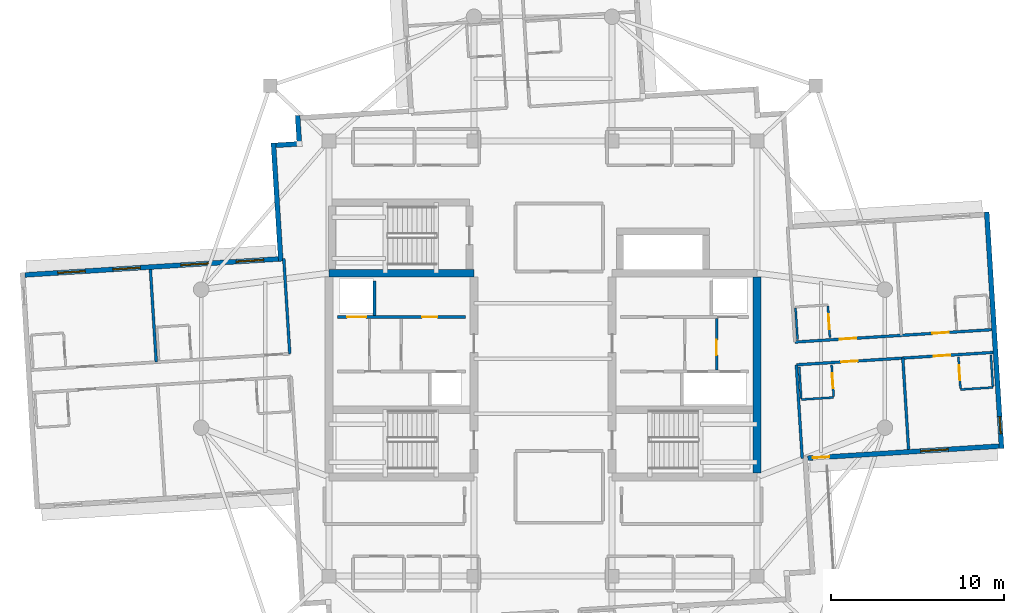
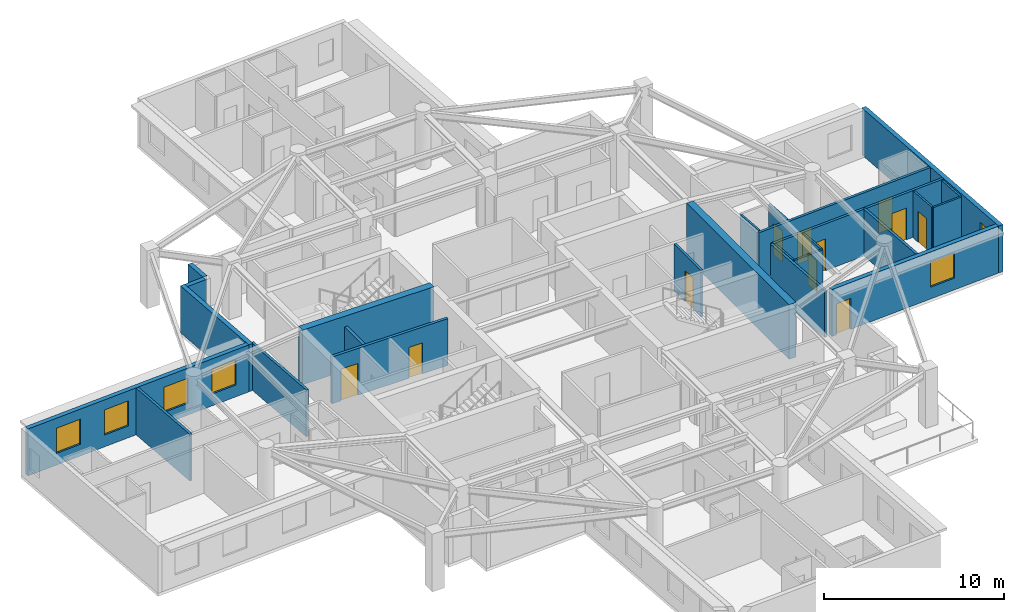
# One storey, part 6 of 13: 25 walls, 11 doors, 6 windows, 17 openings.
"""IFC4 building model written with IfcOpenShell, lengths in metres."""

import ifcopenshell
import ifcopenshell.guid

model = None  # the IFC model being written
_history = None  # IfcOwnerHistory: only IFC2X3 demands one
_inside = {}  # id of a spatial element -> (the spatial element, [elements in it])
_under = {}  # id of a project, library or spatial element -> (it, [spatial elements below it])
_declared = {}  # id of a project -> (the project, [libraries it declares])
_typed = {}  # id of a type object -> (the type object, [elements of that type])
_made_of = {}  # id of a material, layer set ... -> (it, [elements and type objects made of it])


def new_model(schema):
    """Start an empty IFC model of exactly this schema.

    Asked for "IFC4X3", IfcOpenShell would pick the latest addendum, in which some entities
    have other attributes; the version numbers below select the first issue.
    IFC2X3 requires an IfcOwnerHistory on every rooted entity: one is made here for all.
    """
    global model, _history
    if schema == "IFC4X3":
        model = ifcopenshell.file(schema_version=(4, 3, 0, 0))
    else:
        model = ifcopenshell.file(schema=schema)
    _inside.clear()
    _under.clear()
    _declared.clear()
    _typed.clear()
    _made_of.clear()
    _history = None
    if model.schema == "IFC2X3":
        org = make("IfcOrganization", Name="unknown")
        user = make(
            "IfcPersonAndOrganization",
            ThePerson=make("IfcPerson", FamilyName="unknown"),
            TheOrganization=org,
        )
        app = make(
            "IfcApplication",
            ApplicationDeveloper=org,
            Version="unknown",
            ApplicationFullName="unknown",
            ApplicationIdentifier="unknown",
        )
        _history = make(
            "IfcOwnerHistory",
            OwningUser=user,
            OwningApplication=app,
            ChangeAction="ADDED",
            CreationDate=0,
        )
    return model


def make(cls, **values):
    """One entity of the class cls with the attributes given. An attribute that is None is left unset."""
    return model.create_entity(
        cls, **{name: value for name, value in values.items() if value is not None}
    )


def rooted(cls, **values):
    """An entity with a GlobalId (a new one), such as an element, a storey or a relation."""
    return make(cls, GlobalId=ifcopenshell.guid.new(), OwnerHistory=_history, **values)


def si_unit(unit_type, name, prefix=None):
    """IfcSIUnit, for example si_unit("LENGTHUNIT", "METRE", prefix="MILLI")."""
    return make("IfcSIUnit", UnitType=unit_type, Prefix=prefix, Name=name)


def assignment(units):
    """IfcUnitAssignment: the units of a project."""
    return None if units is None else make("IfcUnitAssignment", Units=units)


def point(xyz):
    """IfcCartesianPoint."""
    return None if xyz is None else make("IfcCartesianPoint", Coordinates=xyz)


def direction(xyz):
    """IfcDirection."""
    return None if xyz is None else make("IfcDirection", DirectionRatios=xyz)


def frame(location, z_axis=None, x_axis=None):
    """IfcAxis2Placement3D, a coordinate frame: its origin and axes. An axis left out is left unset."""
    return make(
        "IfcAxis2Placement3D",
        Location=point(location),
        Axis=direction(z_axis),
        RefDirection=direction(x_axis),
    )


def frame_2d(location, x_axis=None):
    """IfcAxis2Placement2D, a coordinate frame in the plane: its origin and x axis."""
    return make(
        "IfcAxis2Placement2D", Location=point(location), RefDirection=direction(x_axis)
    )


def origin():
    """The frame at (0, 0, 0) with its axes left unset."""
    return frame((0.0, 0.0, 0.0))


def place(relative_to, where):
    """IfcLocalPlacement: puts the frame where relative to a parent placement (None: the world)."""
    return make(
        "IfcLocalPlacement", PlacementRelTo=relative_to, RelativePlacement=where
    )


def context(
    kind, dimensions, precision=None, world=None, true_north=None, identifier=None
):
    """IfcGeometricRepresentationContext, for example the 3D "Model" context."""
    return make(
        "IfcGeometricRepresentationContext",
        ContextIdentifier=identifier,
        ContextType=kind,
        CoordinateSpaceDimension=dimensions,
        Precision=precision,
        WorldCoordinateSystem=world,
        TrueNorth=true_north,
    )


def subcontext(parent, identifier, kind, view, scale=None):
    """IfcGeometricRepresentationSubContext, for example "Body" below "Model"."""
    return make(
        "IfcGeometricRepresentationSubContext",
        ContextIdentifier=identifier,
        ContextType=kind,
        ParentContext=parent,
        TargetScale=scale,
        TargetView=view,
    )


def project(units=None, contexts=None):
    """IfcProject with its units and contexts."""
    return rooted(
        "IfcProject",
        Name="project",
        RepresentationContexts=contexts,
        UnitsInContext=assignment(units),
    )


def spatial(cls, under=None, at=None, **own):
    """A site, building, storey or space (cls), placed at a placement, below another one or the project."""
    s = rooted(cls, ObjectPlacement=at, **own)
    if under is not None:
        _under.setdefault(under.id(), (under, []))[1].append(s)
    return s


def profile(cls, at=None, kind="AREA", **sizes):
    """A parametric profile (cls). Its sizes go by their IFC names, for example OverallWidth=200.0."""
    return make(cls, ProfileType=kind, Position=at, **sizes)


def rectangle(**sizes):
    """IfcRectangleProfileDef."""
    return profile("IfcRectangleProfileDef", **sizes)


def extrude(swept, where, along, depth):
    """IfcExtrudedAreaSolid: the profile swept, set in the frame where, extruded along a direction by depth."""
    return make(
        "IfcExtrudedAreaSolid",
        SweptArea=swept,
        Position=where,
        ExtrudedDirection=direction(along),
        Depth=depth,
    )


def shape(context_of_items, identifier, shape_type, items):
    """IfcShapeRepresentation: the items that make up one representation, for example the "Body"."""
    return make(
        "IfcShapeRepresentation",
        ContextOfItems=context_of_items,
        RepresentationIdentifier=identifier,
        RepresentationType=shape_type,
        Items=items,
    )


def material(Name=None, Category=None):
    """IfcMaterial."""
    return make("IfcMaterial", Name=Name, Category=Category)


def layer(
    of_material, thickness, ventilated=None, Name=None, Category=None, Priority=None
):
    """IfcMaterialLayer: one layer of a wall or slab, of a material (None: an air gap)."""
    return make(
        "IfcMaterialLayer",
        Material=of_material,
        LayerThickness=thickness,
        IsVentilated=ventilated,
        Name=Name,
        Category=Category,
        Priority=Priority,
    )


def layer_set(layers, Name=None):
    """IfcMaterialLayerSet."""
    return make("IfcMaterialLayerSet", MaterialLayers=layers, LayerSetName=Name)


def made_of(thing, what):
    """Note that an element or type object is made of a material, layer set ...; save() writes the relation."""
    if what is not None:
        _made_of.setdefault(what.id(), (what, []))[1].append(thing)
    return thing


def type_object(cls, material=None, **own):
    """A type object (cls), such as IfcWallType, which elements share."""
    return made_of(rooted(cls, **own), material)


def element(
    cls,
    number,
    at=None,
    inside=None,
    cuts=None,
    type_object=None,
    material=None,
    context=None,
    identifier="Body",
    shape_type=None,
    held_by="IfcProductDefinitionShape",
    body=None,
    shapes=None,
    **own,
):
    """One element of the class cls, such as IfcWall. Its Tag is "e" and its number.

    at: its placement. inside: the storey or other place that contains it. cuts: it is an
    opening in that element (IfcRelVoidsElement). A single representation is given by context,
    identifier, shape_type and body (its items); several are given by shapes. held_by: the class
    of the entity that holds the representations. save() writes the other relations.
    """
    e = rooted(cls, Tag="e%d" % number, ObjectPlacement=at, **own)
    if body is not None:
        shapes = [shape(context, identifier, shape_type, body)]
    if shapes is not None:
        e.Representation = make(held_by, Representations=shapes)
    if inside is not None:
        _inside.setdefault(inside.id(), (inside, []))[1].append(e)
    if cuts is not None:
        rooted(
            "IfcRelVoidsElement", RelatingBuildingElement=cuts, RelatedOpeningElement=e
        )
    if type_object is not None:
        _typed.setdefault(type_object.id(), (type_object, []))[1].append(e)
    return made_of(e, material)


def fill(opening, filler):
    """IfcRelFillsElement: the door or window that sits in an opening."""
    return rooted(
        "IfcRelFillsElement",
        RelatingOpeningElement=opening,
        RelatedBuildingElement=filler,
    )


def aggregate(whole, parts):
    """IfcRelAggregates: a whole, such as a stair, and the parts it consists of."""
    return rooted("IfcRelAggregates", RelatingObject=whole, RelatedObjects=parts)


def save(model, path):
    """Write the relations noted so far, then the file.

    IfcRelAggregates (storeys below a building ...), IfcRelContainedInSpatialStructure (elements
    in a storey), IfcRelDefinesByType, IfcRelAssociatesMaterial and IfcRelDeclares: one each for
    every whole, place, type object, material and project.
    """
    for whole, parts in _under.values():
        aggregate(whole, parts)
    for where, things in _inside.values():
        rooted(
            "IfcRelContainedInSpatialStructure",
            RelatedElements=things,
            RelatingStructure=where,
        )
    for kind, things in _typed.values():
        rooted("IfcRelDefinesByType", RelatedObjects=things, RelatingType=kind)
    for what, things in _made_of.values():
        rooted("IfcRelAssociatesMaterial", RelatedObjects=things, RelatingMaterial=what)
    for by, libraries in _declared.values():
        rooted("IfcRelDeclares", RelatingContext=by, RelatedDefinitions=libraries)
    model.write(path)


model = new_model("IFC4")

# Units and contexts
model_context = context("Model", 3, precision=1e-05, world=origin(), true_north=direction((0.0, 1.0)))
body_context = subcontext(model_context, "Body", "Model", "MODEL_VIEW")
ifc_project = project(units=[si_unit("LENGTHUNIT", "METRE"), si_unit("AREAUNIT", "SQUARE_METRE"), si_unit("VOLUMEUNIT", "CUBIC_METRE"), si_unit("PLANEANGLEUNIT", "RADIAN"), si_unit("MASSUNIT", "GRAM", prefix="KILO")], contexts=[model_context])

# Site, building, storey
site_placement = place(None, origin())
site = spatial("IfcSite", under=ifc_project, at=site_placement, CompositionType="ELEMENT")
building_placement = place(site_placement, origin())
building = spatial("IfcBuilding", under=site, at=building_placement, Name="Qingluan Cross Belvedere", CompositionType="ELEMENT")
storey_placement = place(building_placement, frame((0.0, 0.0, 281.10009765625)))
storey = spatial("IfcBuildingStorey", under=building, at=storey_placement, Name="L70", CompositionType="ELEMENT", Elevation=281.10009765625)

# Walls
ifc_material_1 = material(Name="Concrete C50", Category="concrete")
ifc_layer_1 = layer(ifc_material_1, 0.449951171875, Name="CoreShearWall_450")
ifc_layer_set_1 = layer_set([ifc_layer_1], Name="Concrete C50")
wall_type_1 = type_object("IfcWallType", Name="CoreShearWall_450", PredefinedType="SHEAR", material=ifc_layer_set_1)
wall_1_placement = place(storey_placement, frame((-12.39990234375, 4.949951171875, 0.0), z_axis=(0.0, 0.0, 1.0), x_axis=(1.0, 0.0, 0.0)))
element("IfcWall", 1, at=wall_1_placement, inside=storey, type_object=wall_type_1, Name="Split core W shear wall L70-N", PredefinedType="SHEAR", context=body_context, shape_type="SweptSolid", body=[
    extrude(rectangle(XDim=8.39990234375, YDim=0.449951171875, at=frame_2d((4.199951171875, 0.0))), origin(), (0.0, 0.0, 1.0), 3.699951171875),
])
wall_2_placement = place(storey_placement, frame((12.39990234375, -6.6201171875, 0.0), z_axis=(0.0, 0.0, 1.0), x_axis=(0.0, 1.0, 0.0)))
element("IfcWall", 2, at=wall_2_placement, inside=storey, type_object=wall_type_1, Name="Split core E shear wall L70-E", PredefinedType="SHEAR", context=body_context, shape_type="SweptSolid", body=[
    extrude(rectangle(XDim=11.340087890625, YDim=0.449951171875, at=frame_2d((5.669921875, 0.0))), origin(), (0.0, 0.0, 1.0), 3.699951171875),
])

# Wall, opening, door
ifc_material_2 = material(Name="Gypsum plasterboard on steel stud acoustic partition", Category="steel")
ifc_layer_2 = layer(ifc_material_2, 0.159912109375, Name="CorridorPartition_160")
ifc_layer_set_2 = layer_set([ifc_layer_2], Name="Gypsum plasterboard on steel stud acoustic partition")
wall_type_2 = type_object("IfcWallType", Name="CorridorPartition_160", PredefinedType="PARTITIONING", material=ifc_layer_set_2)
wall_3_placement = place(storey_placement, frame((10.050048828125, -0.652099609375, 0.0), z_axis=(0.0, 0.0, 1.0), x_axis=(0.0, 1.0, 0.0)))
wall_3 = element("IfcWall", 3, at=wall_3_placement, inside=storey, type_object=wall_type_2, Name="Partition L70:ev", PredefinedType="PARTITIONING", context=body_context, shape_type="SweptSolid", body=[
    extrude(rectangle(XDim=2.962158203125, YDim=0.139892578125, at=frame_2d((1.48095703125, 0.0))), origin(), (0.0, 0.0, 1.0), 3.169921875),
])
opening_1_placement = place(wall_3_placement, frame((0.85009765625, 0.0, 0.0)))
opening_1 = element("IfcOpeningElement", 4, at=opening_1_placement, cuts=wall_3, Name="Opening FD-B10", PredefinedType="OPENING", context=body_context, shape_type="SweptSolid", body=[
    extrude(rectangle(XDim=0.8798828125, YDim=2.10009765625, at=frame_2d((0.43994140625, 1.050048828125))), frame((0.0, 0.079833984375, 0.0), z_axis=(0.0, -1.0, 0.0), x_axis=(1.0, 0.0, 0.0)), (0.0, 0.0, 1.0), 0.159912109375),
])
ifc_material_3 = material(Name="Steel Class B service fire door", Category="steel")
door_type_1 = type_object("IfcDoorType", Name="RiserServiceFireDoor_FDB", OperationType="NOTDEFINED", PredefinedType="DOOR", material=ifc_material_3)
door_1_placement = place(opening_1_placement, origin())
door_1 = element("IfcDoor", 5, at=door_1_placement, inside=storey, type_object=door_type_1, Name="Service closet inner door L70", OperationType="SINGLE_SWING_RIGHT", OverallHeight=2.10009765625, OverallWidth=0.8798828125, PredefinedType="DOOR", context=body_context, shape_type="SweptSolid", body=[
    extrude(rectangle(XDim=0.8798828125, YDim=2.10009765625, at=frame_2d((0.43994140625, 1.050048828125))), frame((0.0, 0.02490234375, 0.0), z_axis=(0.0, -1.0, 0.0), x_axis=(1.0, 0.0, 0.0)), (0.0, 0.0, 1.0), 0.050048828125),
])
fill(opening_1, door_1)

# Wall, openings, doors
wall_4_placement = place(storey_placement, frame((14.588623046875, 0.9580078125, 0.0), z_axis=(0.0, 0.0, 1.0), x_axis=(0.998026771519, 0.06278983461, 0.0)))
wall_4 = element("IfcWall", 6, at=wall_4_placement, inside=storey, type_object=wall_type_2, Name="Partition L70:E:c0", PredefinedType="PARTITIONING", context=body_context, shape_type="SweptSolid", body=[
    extrude(rectangle(XDim=11.411865234375, YDim=0.159912109375, at=frame_2d((5.7060546875, 0.0))), origin(), (0.0, 0.0, 1.0), 3.169921875),
])
opening_2_placement = place(wall_4_placement, frame((2.597900390625, 0.0, 0.0)))
opening_2 = element("IfcOpeningElement", 7, at=opening_2_placement, cuts=wall_4, Name="Opening GD-10", PredefinedType="OPENING", context=body_context, shape_type="SweptSolid", body=[
    extrude(rectangle(XDim=0.9599609375, YDim=2.14990234375, at=frame_2d((0.47998046875, 1.074951171875))), frame((0.0, 0.08984375, 0.0), z_axis=(0.0, -1.0, 0.0), x_axis=(1.0, 0.0, 0.0)), (0.0, 0.0, 1.0), 0.179931640625),
])
opening_3_placement = place(wall_4_placement, frame((7.97412109375, 0.0, 0.0)))
opening_3 = element("IfcOpeningElement", 8, at=opening_3_placement, cuts=wall_4, Name="Opening GD-10", PredefinedType="OPENING", context=body_context, shape_type="SweptSolid", body=[
    extrude(rectangle(XDim=0.9599609375, YDim=2.14990234375, at=frame_2d((0.47998046875, 1.074951171875))), frame((0.0, 0.08984375, 0.0), z_axis=(0.0, -1.0, 0.0), x_axis=(1.0, 0.0, 0.0)), (0.0, 0.0, 1.0), 0.179931640625),
])
ifc_material_4 = material(Name="Timber oak fire-rated acoustic guestroom door", Category="wood")
door_type_2 = type_object("IfcDoorType", Name="GuestEntryDoor_FD60", OperationType="NOTDEFINED", PredefinedType="DOOR", material=ifc_material_4)
door_2_placement = place(opening_2_placement, origin())
door_2 = element("IfcDoor", 9, at=door_2_placement, inside=storey, type_object=door_type_2, Name="Guest entry fire door 7001", OperationType="SINGLE_SWING_LEFT", OverallHeight=2.14990234375, OverallWidth=0.9599609375, PredefinedType="DOOR", context=body_context, shape_type="SweptSolid", body=[
    extrude(rectangle(XDim=0.9599609375, YDim=2.14990234375, at=frame_2d((0.47998046875, 1.074951171875))), frame((0.0, 0.02490234375, 0.0), z_axis=(0.0, -1.0, 0.0), x_axis=(1.0, 0.0, 0.0)), (0.0, 0.0, 1.0), 0.050048828125),
])
fill(opening_2, door_2)
door_3_placement = place(opening_3_placement, origin())
door_3 = element("IfcDoor", 10, at=door_3_placement, inside=storey, type_object=door_type_2, Name="Guest entry fire door 7002", OperationType="SINGLE_SWING_LEFT", OverallHeight=2.14990234375, OverallWidth=0.9599609375, PredefinedType="DOOR", context=body_context, shape_type="SweptSolid", body=[
    extrude(rectangle(XDim=0.9599609375, YDim=2.14990234375, at=frame_2d((0.47998046875, 1.074951171875))), frame((0.0, 0.02490234375, 0.0), z_axis=(0.0, -1.0, 0.0), x_axis=(1.0, 0.0, 0.0)), (0.0, 0.0, 1.0), 0.050048828125),
])
fill(opening_3, door_3)

wall_5_placement = place(storey_placement, frame((14.67138671875, -0.359619140625, 0.0), z_axis=(0.0, 0.0, 1.0), x_axis=(0.998025515052, 0.062809802628, 0.0)))
wall_5 = element("IfcWall", 11, at=wall_5_placement, inside=storey, type_object=wall_type_2, Name="Partition L70:E:c1", PredefinedType="PARTITIONING", context=body_context, shape_type="SweptSolid", body=[
    extrude(rectangle(XDim=11.412109375, YDim=0.159912109375, at=frame_2d((5.7060546875, 0.0))), origin(), (0.0, 0.0, 1.0), 3.169921875),
])
opening_4_placement = place(wall_5_placement, frame((2.597900390625, 0.0, 0.0)))
opening_4 = element("IfcOpeningElement", 12, at=opening_4_placement, cuts=wall_5, Name="Opening GD-10", PredefinedType="OPENING", context=body_context, shape_type="SweptSolid", body=[
    extrude(rectangle(XDim=0.9599609375, YDim=2.14990234375, at=frame_2d((0.47998046875, 1.074951171875))), frame((0.0, 0.08984375, 0.0), z_axis=(0.0, -1.0, 0.0), x_axis=(1.0, 0.0, 0.0)), (0.0, 0.0, 1.0), 0.179931640625),
])
opening_5_placement = place(wall_5_placement, frame((7.97412109375, 0.0, 0.0)))
opening_5 = element("IfcOpeningElement", 13, at=opening_5_placement, cuts=wall_5, Name="Opening GD-10", PredefinedType="OPENING", context=body_context, shape_type="SweptSolid", body=[
    extrude(rectangle(XDim=0.9599609375, YDim=2.14990234375, at=frame_2d((0.47998046875, 1.074951171875))), frame((0.0, 0.08984375, 0.0), z_axis=(0.0, -1.0, 0.0), x_axis=(1.0, 0.0, 0.0)), (0.0, 0.0, 1.0), 0.179931640625),
])
door_4_placement = place(opening_4_placement, origin())
door_4 = element("IfcDoor", 14, at=door_4_placement, inside=storey, type_object=door_type_2, Name="Guest entry fire door 7003", OperationType="SINGLE_SWING_LEFT", OverallHeight=2.14990234375, OverallWidth=0.9599609375, PredefinedType="DOOR", context=body_context, shape_type="SweptSolid", body=[
    extrude(rectangle(XDim=0.9599609375, YDim=2.14990234375, at=frame_2d((0.47998046875, 1.074951171875))), frame((0.0, 0.02490234375, 0.0), z_axis=(0.0, -1.0, 0.0), x_axis=(1.0, 0.0, 0.0)), (0.0, 0.0, 1.0), 0.050048828125),
])
fill(opening_4, door_4)
door_5_placement = place(opening_5_placement, origin())
door_5 = element("IfcDoor", 15, at=door_5_placement, inside=storey, type_object=door_type_2, Name="Guest entry fire door 7004", OperationType="SINGLE_SWING_LEFT", OverallHeight=2.14990234375, OverallWidth=0.9599609375, PredefinedType="DOOR", context=body_context, shape_type="SweptSolid", body=[
    extrude(rectangle(XDim=0.9599609375, YDim=2.14990234375, at=frame_2d((0.47998046875, 1.074951171875))), frame((0.0, 0.02490234375, 0.0), z_axis=(0.0, -1.0, 0.0), x_axis=(1.0, 0.0, 0.0)), (0.0, 0.0, 1.0), 0.050048828125),
])
fill(opening_5, door_5)

# Walls
wall_6_placement = place(storey_placement, frame((14.67138671875, -0.359619140625, 0.0), z_axis=(0.0, 0.0, 1.0), x_axis=(0.062830913783, -0.998024186217, 0.0)))
element("IfcWall", 16, at=wall_6_placement, inside=storey, type_object=wall_type_2, Name="Partition L70:E:s1", PredefinedType="PARTITIONING", context=body_context, shape_type="SweptSolid", body=[
    extrude(rectangle(XDim=5.43994140625, YDim=0.159912109375, at=frame_2d((2.719970703125, 0.0))), origin(), (0.0, 0.0, 1.0), 3.169921875),
])
wall_7_placement = place(storey_placement, frame((20.83935546875, 0.028564453125, 0.0), z_axis=(0.0, 0.0, 1.0), x_axis=(0.062789003246, -0.998026823824, 0.0)))
element("IfcWall", 17, at=wall_7_placement, inside=storey, type_object=wall_type_2, Name="Partition L70:E:d1_0", PredefinedType="PARTITIONING", context=body_context, shape_type="SweptSolid", body=[
    extrude(rectangle(XDim=5.2919921875, YDim=0.159912109375, at=frame_2d((2.64599609375, 0.0))), origin(), (0.0, 0.0, 1.0), 3.169921875),
])
wall_8_placement = place(storey_placement, frame((-14.66650390625, 0.279541015625, 0.0), z_axis=(0.0, 0.0, 1.0), x_axis=(-0.062802308829, 0.998025986639, 0.0)))
element("IfcWall", 18, at=wall_8_placement, inside=storey, type_object=wall_type_2, Name="Partition L70:W:s0", PredefinedType="PARTITIONING", context=body_context, shape_type="SweptSolid", body=[
    extrude(rectangle(XDim=5.520263671875, YDim=0.159912109375, at=frame_2d((2.76025390625, 0.0))), origin(), (0.0, 0.0, 1.0), 3.169921875),
])
wall_9_placement = place(storey_placement, frame((-22.401123046875, -0.20703125, 0.0), z_axis=(0.0, 0.0, 1.0), x_axis=(-0.062808351004, 0.998025606407, 0.0)))
element("IfcWall", 19, at=wall_9_placement, inside=storey, type_object=wall_type_2, Name="Partition L70:W:d0_0", PredefinedType="PARTITIONING", context=body_context, shape_type="SweptSolid", body=[
    extrude(rectangle(XDim=5.371826171875, YDim=0.159912109375, at=frame_2d((2.68603515625, 0.0))), origin(), (0.0, 0.0, 1.0), 3.169921875),
])

# Wall, opening, door
ifc_material_5 = material(Name="Moisture-resistant gypsum board lining")
ifc_layer_3 = layer(ifc_material_5, 0.1201171875, Name="EnsuiteWetPartition_120")
ifc_layer_set_3 = layer_set([ifc_layer_3], Name="Moisture-resistant gypsum board lining")
wall_type_3 = type_object("IfcWallType", Name="EnsuiteWetPartition_120", PredefinedType="PARTITIONING", material=ifc_layer_set_3)
wall_10_placement = place(storey_placement, frame((16.61572265625, 1.2255859375, 0.0), z_axis=(0.0, 0.0, 1.0), x_axis=(-0.062779145668, 0.998027443946, 0.0)))
wall_10 = element("IfcWall", 20, at=wall_10_placement, inside=storey, type_object=wall_type_3, Name="Partition L70:E:bs0_0", PredefinedType="PARTITIONING", context=body_context, shape_type="SweptSolid", body=[
    extrude(rectangle(XDim=1.820068359375, YDim=0.1201171875, at=frame_2d((0.91015625, 0.0))), origin(), (0.0, 0.0, 1.0), 3.169921875),
])
opening_6_placement = place(wall_10_placement, frame((0.469970703125, 0.0, 0.0)))
opening_6 = element("IfcOpeningElement", 21, at=opening_6_placement, cuts=wall_10, Name="Opening BD-09", PredefinedType="OPENING", context=body_context, shape_type="SweptSolid", body=[
    extrude(rectangle(XDim=0.8798828125, YDim=2.10009765625, at=frame_2d((0.43994140625, 1.050048828125))), frame((0.0, 0.070068359375, 0.0), z_axis=(0.0, -1.0, 0.0), x_axis=(1.0, 0.0, 0.0)), (0.0, 0.0, 1.0), 0.14013671875),
])
ifc_material_6 = material(Name="Moisture-sealed timber en-suite door", Category="wood")
door_type_3 = type_object("IfcDoorType", Name="BathroomDoor_880", OperationType="NOTDEFINED", PredefinedType="DOOR", material=ifc_material_6)
door_6_placement = place(opening_6_placement, origin())
door_6 = element("IfcDoor", 22, at=door_6_placement, inside=storey, type_object=door_type_3, Name="Bathroom door 7001", OperationType="SINGLE_SWING_RIGHT", OverallHeight=2.10009765625, OverallWidth=0.8798828125, PredefinedType="DOOR", context=body_context, shape_type="SweptSolid", body=[
    extrude(rectangle(XDim=0.8798828125, YDim=2.10009765625, at=frame_2d((0.43994140625, 1.050048828125))), frame((0.0, 0.02490234375, 0.0), z_axis=(0.0, -1.0, 0.0), x_axis=(1.0, 0.0, 0.0)), (0.0, 0.0, 1.0), 0.050048828125),
])
fill(opening_6, door_6)

# Wall
wall_11_placement = place(storey_placement, frame((14.739501953125, 1.107666015625, 0.0), z_axis=(0.0, 0.0, 1.0), x_axis=(-0.062779145668, 0.998027443946, 0.0)))
element("IfcWall", 23, at=wall_11_placement, inside=storey, type_object=wall_type_3, Name="Partition L70:E:bw0_0", PredefinedType="PARTITIONING", context=body_context, shape_type="SweptSolid", body=[
    extrude(rectangle(XDim=1.820068359375, YDim=0.1201171875, at=frame_2d((0.91015625, 0.0))), origin(), (0.0, 0.0, 1.0), 3.169921875),
])

# Wall, opening, door
wall_12_placement = place(storey_placement, frame((16.83056640625, -2.1875, 0.0), z_axis=(0.0, 0.0, 1.0), x_axis=(-0.062779145668, 0.998027443946, 0.0)))
wall_12 = element("IfcWall", 24, at=wall_12_placement, inside=storey, type_object=wall_type_3, Name="Partition L70:E:bs1_0", PredefinedType="PARTITIONING", context=body_context, shape_type="SweptSolid", body=[
    extrude(rectangle(XDim=1.820068359375, YDim=0.1201171875, at=frame_2d((0.91015625, 0.0))), origin(), (0.0, 0.0, 1.0), 3.169921875),
])
opening_7_placement = place(wall_12_placement, frame((0.469970703125, 0.0, 0.0)))
opening_7 = element("IfcOpeningElement", 25, at=opening_7_placement, cuts=wall_12, Name="Opening BD-09", PredefinedType="OPENING", context=body_context, shape_type="SweptSolid", body=[
    extrude(rectangle(XDim=0.8798828125, YDim=2.10009765625, at=frame_2d((0.43994140625, 1.050048828125))), frame((0.0, 0.070068359375, 0.0), z_axis=(0.0, -1.0, 0.0), x_axis=(1.0, 0.0, 0.0)), (0.0, 0.0, 1.0), 0.14013671875),
])
door_7_placement = place(opening_7_placement, origin())
door_7 = element("IfcDoor", 26, at=door_7_placement, inside=storey, type_object=door_type_3, Name="Bathroom door 7003", OperationType="SINGLE_SWING_RIGHT", OverallHeight=2.10009765625, OverallWidth=0.8798828125, PredefinedType="DOOR", context=body_context, shape_type="SweptSolid", body=[
    extrude(rectangle(XDim=0.8798828125, YDim=2.10009765625, at=frame_2d((0.43994140625, 1.050048828125))), frame((0.0, 0.02490234375, 0.0), z_axis=(0.0, -1.0, 0.0), x_axis=(1.0, 0.0, 0.0)), (0.0, 0.0, 1.0), 0.050048828125),
])
fill(opening_7, door_7)

# Walls
wall_13_placement = place(storey_placement, frame((14.954345703125, -2.3056640625, 0.0), z_axis=(0.0, 0.0, 1.0), x_axis=(-0.062779145668, 0.998027443946, 0.0)))
element("IfcWall", 27, at=wall_13_placement, inside=storey, type_object=wall_type_3, Name="Partition L70:E:bw1_0", PredefinedType="PARTITIONING", context=body_context, shape_type="SweptSolid", body=[
    extrude(rectangle(XDim=1.820068359375, YDim=0.1201171875, at=frame_2d((0.91015625, 0.0))), origin(), (0.0, 0.0, 1.0), 3.169921875),
])
wall_14_placement = place(storey_placement, frame((14.95849609375, -2.370361328125, 0.0), z_axis=(0.0, 0.0, 1.0), x_axis=(0.998030789148, 0.062725942896, 0.0)))
element("IfcWall", 28, at=wall_14_placement, inside=storey, type_object=wall_type_3, Name="Partition L70:E:bc1_0", PredefinedType="PARTITIONING", context=body_context, shape_type="SweptSolid", body=[
    extrude(rectangle(XDim=1.8798828125, YDim=0.1201171875, at=frame_2d((0.93994140625, 0.0))), origin(), (0.0, 0.0, 1.0), 3.169921875),
])

# Wall, opening, door
wall_15_placement = place(storey_placement, frame((24.176025390625, -1.725341796875, 0.0), z_axis=(0.0, 0.0, 1.0), x_axis=(-0.062779145668, 0.998027443946, 0.0)))
wall_15 = element("IfcWall", 29, at=wall_15_placement, inside=storey, type_object=wall_type_3, Name="Partition L70:E:bs1_1", PredefinedType="PARTITIONING", context=body_context, shape_type="SweptSolid", body=[
    extrude(rectangle(XDim=1.820068359375, YDim=0.1201171875, at=frame_2d((0.91015625, 0.0))), origin(), (0.0, 0.0, 1.0), 3.169921875),
])
opening_8_placement = place(wall_15_placement, frame((0.469970703125, 0.0, 0.0)))
opening_8 = element("IfcOpeningElement", 30, at=opening_8_placement, cuts=wall_15, Name="Opening BD-09", PredefinedType="OPENING", context=body_context, shape_type="SweptSolid", body=[
    extrude(rectangle(XDim=0.8798828125, YDim=2.10009765625, at=frame_2d((0.43994140625, 1.050048828125))), frame((0.0, 0.070068359375, 0.0), z_axis=(0.0, -1.0, 0.0), x_axis=(1.0, 0.0, 0.0)), (0.0, 0.0, 1.0), 0.14013671875),
])
door_8_placement = place(opening_8_placement, origin())
door_8 = element("IfcDoor", 31, at=door_8_placement, inside=storey, type_object=door_type_3, Name="Bathroom door 7004", OperationType="SINGLE_SWING_RIGHT", OverallHeight=2.10009765625, OverallWidth=0.8798828125, PredefinedType="DOOR", context=body_context, shape_type="SweptSolid", body=[
    extrude(rectangle(XDim=0.8798828125, YDim=2.10009765625, at=frame_2d((0.43994140625, 1.050048828125))), frame((0.0, 0.02490234375, 0.0), z_axis=(0.0, -1.0, 0.0), x_axis=(1.0, 0.0, 0.0)), (0.0, 0.0, 1.0), 0.050048828125),
])
fill(opening_8, door_8)

# Walls
wall_16_placement = place(storey_placement, frame((26.05224609375, -1.607421875, 0.0), z_axis=(0.0, 0.0, 1.0), x_axis=(-0.062779145668, 0.998027443946, 0.0)))
element("IfcWall", 32, at=wall_16_placement, inside=storey, type_object=wall_type_3, Name="Partition L70:E:bw1_1", PredefinedType="PARTITIONING", context=body_context, shape_type="SweptSolid", body=[
    extrude(rectangle(XDim=1.820068359375, YDim=0.1201171875, at=frame_2d((0.91015625, 0.0))), origin(), (0.0, 0.0, 1.0), 3.169921875),
])
wall_17_placement = place(storey_placement, frame((24.18017578125, -1.790283203125, 0.0), z_axis=(0.0, 0.0, 1.0), x_axis=(0.998022650819, 0.062855297722, 0.0)))
element("IfcWall", 33, at=wall_17_placement, inside=storey, type_object=wall_type_3, Name="Partition L70:E:bc1_1", PredefinedType="PARTITIONING", context=body_context, shape_type="SweptSolid", body=[
    extrude(rectangle(XDim=1.8798828125, YDim=0.1201171875, at=frame_2d((0.93994140625, 0.0))), origin(), (0.0, 0.0, 1.0), 3.169921875),
])

# Wall, openings, window, door
ifc_material_7 = material(Name="Precast concrete C45", Category="concrete")
ifc_layer_4 = layer(ifc_material_7, 0.280029296875, Name="PrecastFacadeWall_280")
ifc_layer_set_4 = layer_set([ifc_layer_4], Name="Precast concrete C45")
wall_type_4 = type_object("IfcWallType", Name="PrecastFacadeWall_280", PredefinedType="STANDARD", material=ifc_layer_set_4)
wall_18_placement = place(storey_placement, frame((15.33251953125, -5.7685546875, 0.0), z_axis=(0.0, 0.0, 1.0), x_axis=(0.998027852903, 0.062772643957, 0.0)))
wall_18 = element("IfcWall", 34, at=wall_18_placement, inside=storey, type_object=wall_type_4, Name="Facade wall L70-EA", PredefinedType="STANDARD", context=body_context, shape_type="SweptSolid", body=[
    extrude(rectangle(XDim=11.10009765625, YDim=0.280029296875, at=frame_2d((5.550048828125, 0.0))), origin(), (0.0, 0.0, 1.0), 3.179931640625),
])
opening_9_placement = place(wall_18_placement, frame((6.550048828125, 0.0, 0.800048828125)))
opening_9 = element("IfcOpeningElement", 35, at=opening_9_placement, cuts=wall_18, Name="Opening W-04", PredefinedType="OPENING", context=body_context, shape_type="SweptSolid", body=[
    extrude(rectangle(XDim=1.60009765625, YDim=1.699951171875, at=frame_2d((0.800048828125, 0.85009765625))), frame((0.0, 0.14990234375, 0.0), z_axis=(0.0, -1.0, 0.0), x_axis=(1.0, 0.0, 0.0)), (0.0, 0.0, 1.0), 0.300048828125),
])
opening_10_placement = place(wall_18_placement, frame((0.300048828125, 0.0, 0.0)))
opening_10 = element("IfcOpeningElement", 36, at=opening_10_placement, cuts=wall_18, Name="Opening WD-10", PredefinedType="OPENING", context=body_context, shape_type="SweptSolid", body=[
    extrude(rectangle(XDim=0.9599609375, YDim=2.10009765625, at=frame_2d((0.47998046875, 1.050048828125))), frame((0.0, 0.14990234375, 0.0), z_axis=(0.0, -1.0, 0.0), x_axis=(1.0, 0.0, 0.0)), (0.0, 0.0, 1.0), 0.300048828125),
])
ifc_material_8 = material(Name="Thermally broken triple Low-E glass in aluminium frame", Category="aluminium")
window_type_1 = type_object("IfcWindowType", Name="SuiteCornerWin_1600x1700", PartitioningType="SINGLE_PANEL", PredefinedType="WINDOW", material=ifc_material_8)
window_1_placement = place(opening_9_placement, origin())
window_1 = element("IfcWindow", 37, at=window_1_placement, inside=storey, type_object=window_type_1, Name="Ribbon window L70-EA-2", OverallHeight=1.699951171875, OverallWidth=1.60009765625, PartitioningType="SINGLE_PANEL", PredefinedType="WINDOW", context=body_context, shape_type="SweptSolid", body=[
    extrude(rectangle(XDim=1.60009765625, YDim=1.699951171875, at=frame_2d((0.800048828125, 0.85009765625))), frame((0.0, 0.030029296875, 0.0), z_axis=(0.0, -1.0, 0.0), x_axis=(1.0, 0.0, 0.0)), (0.0, 0.0, 1.0), 0.06005859375),
])
fill(opening_9, window_1)
ifc_material_9 = material(Name="Thermally broken aluminium and Low-E glass", Category="aluminium")
door_type_4 = type_object("IfcDoorType", Name="WinterGardenDoor_096", OperationType="NOTDEFINED", PredefinedType="DOOR", material=ifc_material_9)
door_9_placement = place(opening_10_placement, origin())
door_9 = element("IfcDoor", 38, at=door_9_placement, inside=storey, type_object=door_type_4, Name="Outdoor terrace access door L70-spi", OperationType="SINGLE_SWING_LEFT", OverallHeight=2.10009765625, OverallWidth=0.9599609375, PredefinedType="DOOR", context=body_context, shape_type="SweptSolid", body=[
    extrude(rectangle(XDim=0.9599609375, YDim=2.10009765625, at=frame_2d((0.47998046875, 1.050048828125))), frame((0.0, 0.02490234375, 0.0), z_axis=(0.0, -1.0, 0.0), x_axis=(1.0, 0.0, 0.0)), (0.0, 0.0, 1.0), 0.050048828125),
])
fill(opening_10, door_9)

# Wall, opening, window
wall_19_placement = place(storey_placement, frame((26.55908203125, -5.20263671875, 0.0), z_axis=(0.0, 0.0, 1.0), x_axis=(-0.062797041623, 0.998026318072, 0.0)))
wall_19 = element("IfcWall", 39, at=wall_19_placement, inside=storey, type_object=wall_type_4, Name="Arm tip precast facade wall L70-E", PredefinedType="STANDARD", context=body_context, shape_type="SweptSolid", body=[
    extrude(rectangle(XDim=13.719970703125, YDim=0.280029296875, at=frame_2d((6.85986328125, 0.0))), origin(), (0.0, 0.0, 1.0), 3.179931640625),
])
opening_11_placement = place(wall_19_placement, frame((0.85009765625, 0.0, 0.85009765625)))
opening_11 = element("IfcOpeningElement", 40, at=opening_11_placement, cuts=wall_19, Name="Opening W-03", PredefinedType="OPENING", context=body_context, shape_type="SweptSolid", body=[
    extrude(rectangle(XDim=1.0, YDim=1.5, at=frame_2d((0.5, 0.75))), frame((0.0, 0.14990234375, 0.0), z_axis=(0.0, -1.0, 0.0), x_axis=(1.0, 0.0, 0.0)), (0.0, 0.0, 1.0), 0.300048828125),
])
ifc_material_10 = material(Name="Thermally broken triple Low-E glass in aluminium frame", Category="aluminium")
window_type_2 = type_object("IfcWindowType", Name="TriApexWin_1000x1500", PartitioningType="SINGLE_PANEL", PredefinedType="WINDOW", material=ifc_material_10)
window_2_placement = place(opening_11_placement, origin())
window_2 = element("IfcWindow", 41, at=window_2_placement, inside=storey, type_object=window_type_2, Name="Arm tip triangular window L70-E", OverallHeight=1.5, OverallWidth=1.0, PartitioningType="SINGLE_PANEL", PredefinedType="WINDOW", context=body_context, shape_type="SweptSolid", body=[
    extrude(rectangle(XDim=1.0, YDim=1.5, at=frame_2d((0.5, 0.75))), frame((0.0, 0.030029296875, 0.0), z_axis=(0.0, -1.0, 0.0), x_axis=(1.0, 0.0, 0.0)), (0.0, 0.0, 1.0), 0.06005859375),
])
fill(opening_11, window_2)

# Wall, openings, windows
wall_20_placement = place(storey_placement, frame((-15.33251953125, 5.7685546875, 0.0), z_axis=(0.0, 0.0, 1.0), x_axis=(-0.998027423805, -0.062779465852, 0.0)))
wall_20 = element("IfcWall", 42, at=wall_20_placement, inside=storey, type_object=wall_type_4, Name="Facade wall L70-WA", PredefinedType="STANDARD", context=body_context, shape_type="SweptSolid", body=[
    extrude(rectangle(XDim=14.699951171875, YDim=0.280029296875, at=frame_2d((7.35009765625, 0.0))), origin(), (0.0, 0.0, 1.0), 3.179931640625),
])
opening_12_placement = place(wall_20_placement, frame((0.85009765625, 0.0, 0.800048828125)))
opening_12 = element("IfcOpeningElement", 43, at=opening_12_placement, cuts=wall_20, Name="Opening W-04", PredefinedType="OPENING", context=body_context, shape_type="SweptSolid", body=[
    extrude(rectangle(XDim=1.60009765625, YDim=1.699951171875, at=frame_2d((0.800048828125, 0.85009765625))), frame((0.0, 0.14990234375, 0.0), z_axis=(0.0, -1.0, 0.0), x_axis=(1.0, 0.0, 0.0)), (0.0, 0.0, 1.0), 0.300048828125),
])
opening_13_placement = place(wall_20_placement, frame((4.050048828125, 0.0, 0.800048828125)))
opening_13 = element("IfcOpeningElement", 44, at=opening_13_placement, cuts=wall_20, Name="Opening W-04", PredefinedType="OPENING", context=body_context, shape_type="SweptSolid", body=[
    extrude(rectangle(XDim=1.60009765625, YDim=1.699951171875, at=frame_2d((0.800048828125, 0.85009765625))), frame((0.0, 0.14990234375, 0.0), z_axis=(0.0, -1.0, 0.0), x_axis=(1.0, 0.0, 0.0)), (0.0, 0.0, 1.0), 0.300048828125),
])
opening_14_placement = place(wall_20_placement, frame((8.0, 0.0, 0.800048828125)))
opening_14 = element("IfcOpeningElement", 45, at=opening_14_placement, cuts=wall_20, Name="Opening W-04", PredefinedType="OPENING", context=body_context, shape_type="SweptSolid", body=[
    extrude(rectangle(XDim=1.60009765625, YDim=1.699951171875, at=frame_2d((0.800048828125, 0.85009765625))), frame((0.0, 0.14990234375, 0.0), z_axis=(0.0, -1.0, 0.0), x_axis=(1.0, 0.0, 0.0)), (0.0, 0.0, 1.0), 0.300048828125),
])
opening_15_placement = place(wall_20_placement, frame((11.199951171875, 0.0, 0.800048828125)))
opening_15 = element("IfcOpeningElement", 46, at=opening_15_placement, cuts=wall_20, Name="Opening W-04", PredefinedType="OPENING", context=body_context, shape_type="SweptSolid", body=[
    extrude(rectangle(XDim=1.60009765625, YDim=1.699951171875, at=frame_2d((0.800048828125, 0.85009765625))), frame((0.0, 0.14990234375, 0.0), z_axis=(0.0, -1.0, 0.0), x_axis=(1.0, 0.0, 0.0)), (0.0, 0.0, 1.0), 0.300048828125),
])
window_3_placement = place(opening_12_placement, origin())
window_3 = element("IfcWindow", 47, at=window_3_placement, inside=storey, type_object=window_type_1, Name="Ribbon window L70-WA-1", OverallHeight=1.699951171875, OverallWidth=1.60009765625, PartitioningType="SINGLE_PANEL", PredefinedType="WINDOW", context=body_context, shape_type="SweptSolid", body=[
    extrude(rectangle(XDim=1.60009765625, YDim=1.699951171875, at=frame_2d((0.800048828125, 0.85009765625))), frame((0.0, 0.030029296875, 0.0), z_axis=(0.0, -1.0, 0.0), x_axis=(1.0, 0.0, 0.0)), (0.0, 0.0, 1.0), 0.06005859375),
])
fill(opening_12, window_3)
window_4_placement = place(opening_13_placement, origin())
window_4 = element("IfcWindow", 48, at=window_4_placement, inside=storey, type_object=window_type_1, Name="Ribbon window L70-WA-2", OverallHeight=1.699951171875, OverallWidth=1.60009765625, PartitioningType="SINGLE_PANEL", PredefinedType="WINDOW", context=body_context, shape_type="SweptSolid", body=[
    extrude(rectangle(XDim=1.60009765625, YDim=1.699951171875, at=frame_2d((0.800048828125, 0.85009765625))), frame((0.0, 0.030029296875, 0.0), z_axis=(0.0, -1.0, 0.0), x_axis=(1.0, 0.0, 0.0)), (0.0, 0.0, 1.0), 0.06005859375),
])
fill(opening_13, window_4)
window_5_placement = place(opening_14_placement, origin())
window_5 = element("IfcWindow", 49, at=window_5_placement, inside=storey, type_object=window_type_1, Name="Ribbon window L70-WA-3", OverallHeight=1.699951171875, OverallWidth=1.60009765625, PartitioningType="SINGLE_PANEL", PredefinedType="WINDOW", context=body_context, shape_type="SweptSolid", body=[
    extrude(rectangle(XDim=1.60009765625, YDim=1.699951171875, at=frame_2d((0.800048828125, 0.85009765625))), frame((0.0, 0.030029296875, 0.0), z_axis=(0.0, -1.0, 0.0), x_axis=(1.0, 0.0, 0.0)), (0.0, 0.0, 1.0), 0.06005859375),
])
fill(opening_14, window_5)
window_6_placement = place(opening_15_placement, origin())
window_6 = element("IfcWindow", 50, at=window_6_placement, inside=storey, type_object=window_type_1, Name="Ribbon window L70-WA-4", OverallHeight=1.699951171875, OverallWidth=1.60009765625, PartitioningType="SINGLE_PANEL", PredefinedType="WINDOW", context=body_context, shape_type="SweptSolid", body=[
    extrude(rectangle(XDim=1.60009765625, YDim=1.699951171875, at=frame_2d((0.800048828125, 0.85009765625))), frame((0.0, 0.030029296875, 0.0), z_axis=(0.0, -1.0, 0.0), x_axis=(1.0, 0.0, 0.0)), (0.0, 0.0, 1.0), 0.06005859375),
])
fill(opening_15, window_6)

# Walls
wall_21_placement = place(storey_placement, frame((-15.18408203125, 5.6376953125, 0.0), z_axis=(0.0, 0.0, 1.0), x_axis=(-0.062779317195, 0.998027433156, 0.0)))
element("IfcWall", 51, at=wall_21_placement, inside=storey, type_object=wall_type_4, Name="Corner wall L70-NW1", PredefinedType="STANDARD", context=body_context, shape_type="SweptSolid", body=[
    extrude(rectangle(XDim=6.85986328125, YDim=0.280029296875, at=frame_2d((3.429931640625, 0.0))), origin(), (0.0, 0.0, 1.0), 3.179931640625),
])
wall_22_placement = place(storey_placement, frame((-15.46630859375, 12.353271484375, 0.0), z_axis=(0.0, 0.0, 1.0), x_axis=(0.998024450254, 0.062826719603, 0.0)))
element("IfcWall", 52, at=wall_22_placement, inside=storey, type_object=wall_type_4, Name="Corner wall L70-NW2", PredefinedType="STANDARD", context=body_context, shape_type="SweptSolid", body=[
    extrude(rectangle(XDim=1.22021484375, YDim=0.280029296875, at=frame_2d((0.610107421875, 0.0))), origin(), (0.0, 0.0, 1.0), 3.179931640625),
])
wall_23_placement = place(storey_placement, frame((-14.11767578125, 12.578369140625, 0.0), z_axis=(0.0, 0.0, 1.0), x_axis=(-0.062824119533, 0.998024613927, 0.0)))
element("IfcWall", 53, at=wall_23_placement, inside=storey, type_object=wall_type_4, Name="Corner wall L70-NW3", PredefinedType="STANDARD", context=body_context, shape_type="SweptSolid", body=[
    extrude(rectangle(XDim=1.5, YDim=0.280029296875, at=frame_2d((0.75, 0.0))), origin(), (0.0, 0.0, 1.0), 3.179931640625),
])

# Wall, openings, doors
ifc_material_11 = material(Name="Concrete C40", Category="concrete")
ifc_layer_5 = layer(ifc_material_11, 0.219970703125, Name="ShaftEnclosureWall_250")
ifc_layer_set_5 = layer_set([ifc_layer_5], Name="Concrete C40")
wall_type_5 = type_object("IfcWallType", Name="ShaftEnclosureWall_250", PredefinedType="SOLIDWALL", material=ifc_layer_set_5)
wall_24_placement = place(storey_placement, frame((-11.89990234375, 2.409912109375, 0.0), z_axis=(0.0, 0.0, 1.0), x_axis=(1.0, 0.0, 0.0)))
wall_24 = element("IfcWall", 54, at=wall_24_placement, inside=storey, type_object=wall_type_5, Name="Core-W north hoistway wall L70", PredefinedType="SOLIDWALL", context=body_context, shape_type="SweptSolid", body=[
    extrude(rectangle(XDim=7.419921875, YDim=0.179931640625, at=frame_2d((3.7099609375, 0.0))), origin(), (0.0, 0.0, 1.0), 3.169921875),
])
opening_16_placement = place(wall_24_placement, frame((0.550048828125, 0.0, 0.0)))
opening_16 = element("IfcOpeningElement", 55, at=opening_16_placement, cuts=wall_24, Name="Opening LD-11", PredefinedType="OPENING", context=body_context, shape_type="SweptSolid", body=[
    extrude(rectangle(XDim=1.10009765625, YDim=2.14990234375, at=frame_2d((0.550048828125, 1.074951171875))), frame((0.0, 0.099853515625, 0.0), z_axis=(0.0, -1.0, 0.0), x_axis=(1.0, 0.0, 0.0)), (0.0, 0.0, 1.0), 0.199951171875),
])
opening_17_placement = place(wall_24_placement, frame((4.89990234375, 0.0, 0.0)))
opening_17 = element("IfcOpeningElement", 56, at=opening_17_placement, cuts=wall_24, Name="Opening FD-B10", PredefinedType="OPENING", context=body_context, shape_type="SweptSolid", body=[
    extrude(rectangle(XDim=0.8798828125, YDim=2.10009765625, at=frame_2d((0.43994140625, 1.050048828125))), frame((0.0, 0.099853515625, 0.0), z_axis=(0.0, -1.0, 0.0), x_axis=(1.0, 0.0, 0.0)), (0.0, 0.0, 1.0), 0.199951171875),
])
ifc_material_12 = material(Name="Brushed stainless steel centre-opening lift landing door", Category="steel")
door_type_5 = type_object("IfcDoorType", Name="LiftLandingSlidingDoor_1100", OperationType="DOUBLE_DOOR_SLIDING", PredefinedType="DOOR", material=ifc_material_12)
door_10_placement = place(opening_16_placement, origin())
door_10 = element("IfcDoor", 57, at=door_10_placement, inside=storey, type_object=door_type_5, Name="Lift landing sliding door FL1 L70", OperationType="DOUBLE_DOOR_SLIDING", OverallHeight=2.14990234375, OverallWidth=1.10009765625, PredefinedType="DOOR", context=body_context, shape_type="SweptSolid", body=[
    extrude(rectangle(XDim=1.10009765625, YDim=2.14990234375, at=frame_2d((0.550048828125, 1.074951171875))), frame((0.0, 0.02490234375, 0.0), z_axis=(0.0, -1.0, 0.0), x_axis=(1.0, 0.0, 0.0)), (0.0, 0.0, 1.0), 0.050048828125),
])
fill(opening_16, door_10)
door_11_placement = place(opening_17_placement, origin())
door_11 = element("IfcDoor", 58, at=door_11_placement, inside=storey, type_object=door_type_1, Name="Housekeeping supply room door W L70", OperationType="SINGLE_SWING_LEFT", OverallHeight=2.10009765625, OverallWidth=0.8798828125, PredefinedType="DOOR", context=body_context, shape_type="SweptSolid", body=[
    extrude(rectangle(XDim=0.8798828125, YDim=2.10009765625, at=frame_2d((0.43994140625, 1.050048828125))), frame((0.0, 0.02490234375, 0.0), z_axis=(0.0, -1.0, 0.0), x_axis=(1.0, 0.0, 0.0)), (0.0, 0.0, 1.0), 0.050048828125),
])
fill(opening_17, door_11)

# Wall
wall_25_placement = place(storey_placement, frame((-9.760009765625, 2.5, 0.0), z_axis=(0.0, 0.0, 1.0), x_axis=(0.0, 1.0, 0.0)))
element("IfcWall", 59, at=wall_25_placement, inside=storey, type_object=wall_type_5, Name="Hoistway enclosure divider FL1E L70", PredefinedType="SOLIDWALL", context=body_context, shape_type="SweptSolid", body=[
    extrude(rectangle(XDim=1.989990234375, YDim=0.179931640625, at=frame_2d((0.9951171875, 0.0))), origin(), (0.0, 0.0, 1.0), 3.169921875),
])

save(model, "model.ifc")
